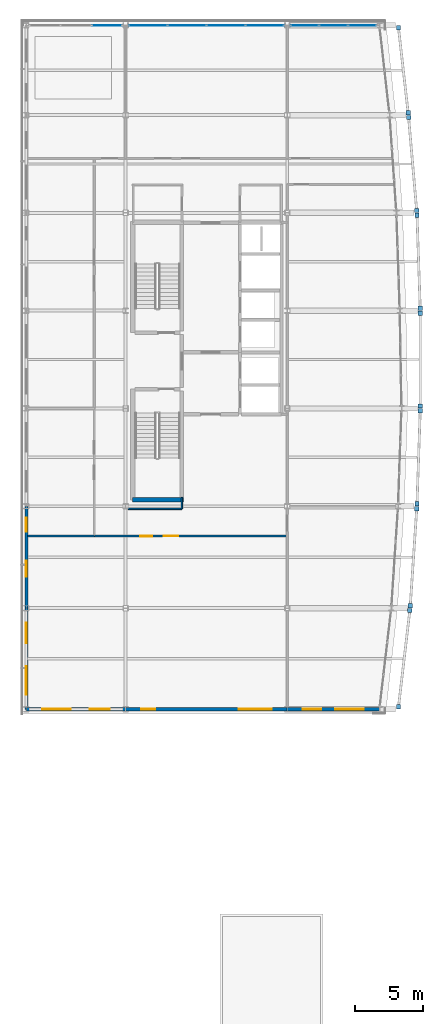
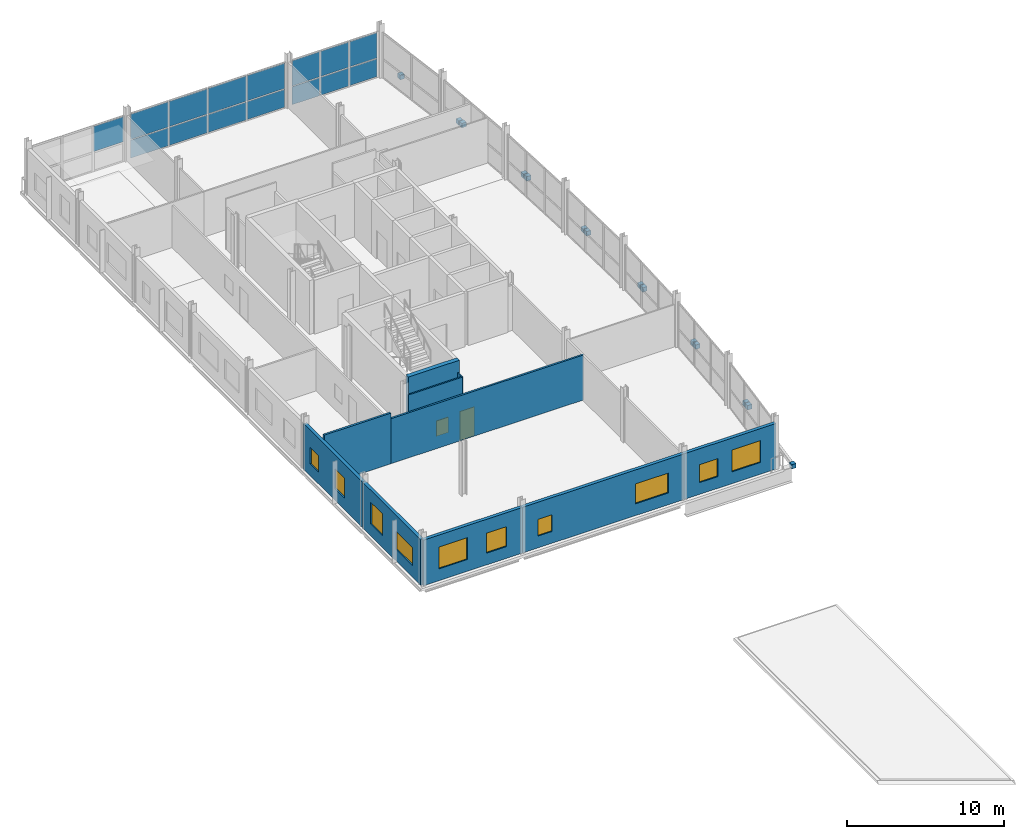
# One storey, part 15 of 23: 29 plates, 11 windows, 10 walls, 1 door, 12 openings, 3 elements without a shape of their own.
"""IFC4 building model written with IfcOpenShell, lengths in metres."""

from ifc_helpers import new_model, si_unit, direction, frame, frame_2d, origin, origin_2d, place, context, subcontext, project, spatial, rectangle, extrude, material, layer, layer_set, type_object, element, fill, aggregate, save


model = new_model("IFC4")

# Units and contexts
model_context = context("Model", 3, precision=1e-05, world=origin(), true_north=direction((0.0, 1.0)))
body_context = subcontext(model_context, "Body", "Model", "MODEL_VIEW")
ifc_project = project(units=[si_unit("LENGTHUNIT", "METRE"), si_unit("AREAUNIT", "SQUARE_METRE"), si_unit("VOLUMEUNIT", "CUBIC_METRE"), si_unit("PLANEANGLEUNIT", "RADIAN"), si_unit("MASSUNIT", "GRAM", prefix="KILO")], contexts=[model_context])

# Site, building, storey
site_placement = place(None, origin())
site = spatial("IfcSite", under=ifc_project, at=site_placement, CompositionType="ELEMENT")
building_placement = place(site_placement, origin())
building = spatial("IfcBuilding", under=site, at=building_placement, Name="Quillay Park Conservatory", CompositionType="ELEMENT")
storey_placement = place(building_placement, frame((0.0, 0.0, 22.5)))
storey = spatial("IfcBuildingStorey", under=building, at=storey_placement, Name="L05", CompositionType="ELEMENT", Elevation=22.5)

# Curtain wall, plate
ifc_material_1 = material(Name="Thermally Broken Anodised Aluminium 6063-T6", Category="aluminium")
ifc_layer_1 = layer(ifc_material_1, 0.179931640625)
ifc_layer_set_1 = layer_set([ifc_layer_1], Name="UNITISED CURTAIN WALL TOWER (Thermally Broken Anodised Aluminium 6063-T6)")
curtain_wall_type = type_object("IfcCurtainWallType", Name="UNITISED CURTAIN WALL TOWER", PredefinedType="USERDEFINED", material=ifc_layer_set_1)
curtain_wall_1_placement = place(storey_placement, origin())
curtain_wall_1 = element("IfcCurtainWall", 1, at=curtain_wall_1_placement, inside=storey, type_object=curtain_wall_type, Name="L05 Unitised Curtain Wall 055", ObjectType="UNITISED CURTAIN WALL", PredefinedType="USERDEFINED")
ifc_material_2 = material(Name="Low-E Double Glazing (Laminated Tempered)", Category="glass")
ifc_layer_2 = layer(ifc_material_2, 0.028076171875)
ifc_layer_set_2 = layer_set([ifc_layer_2], Name="CURTAIN WALL GLAZED PANEL 28 (Low-E Double Glazing (Laminated Tempered))")
plate_type_1 = type_object("IfcPlateType", Name="CURTAIN WALL GLAZED PANEL 28", PredefinedType="CURTAIN_PANEL", material=ifc_layer_set_2)
plate_1_placement = place(storey_placement, frame((6.482421875, 113.39990234375, 1.5341796875), z_axis=(0.0, 0.0, 1.0), x_axis=(1.0, 0.0, 0.0)))
plate_1 = element("IfcPlate", 2, at=plate_1_placement, type_object=plate_type_1, Name="CW-T1 panel 3.2", PredefinedType="CURTAIN_PANEL", context=body_context, shape_type="SweptSolid", body=[
    extrude(rectangle(XDim=2.195068359375, YDim=0.028076171875, at=origin_2d()), origin(), (0.0, 0.0, 1.0), 1.965087890625),
])
aggregate(curtain_wall_1, [plate_1])

# Curtain wall, plates
curtain_wall_2_placement = place(storey_placement, origin())
curtain_wall_2 = element("IfcCurtainWall", 3, at=curtain_wall_2_placement, inside=storey, type_object=curtain_wall_type, Name="L05 Unitised Curtain Wall 056", ObjectType="UNITISED CURTAIN WALL", PredefinedType="USERDEFINED")
plate_2_placement = place(storey_placement, frame((9.5048828125, 113.39990234375, 0.070068359375), z_axis=(0.0, 0.0, 1.0), x_axis=(1.0, 0.0, 0.0)))
plate_2 = element("IfcPlate", 4, at=plate_2_placement, type_object=plate_type_1, Name="CW-T1 panel 1.1", PredefinedType="CURTAIN_PANEL", context=body_context, shape_type="SweptSolid", body=[
    extrude(rectangle(XDim=2.77001953125, YDim=0.028076171875, at=origin_2d()), origin(), (0.0, 0.0, 1.0), 1.39404296875),
])
plate_3_placement = place(storey_placement, frame((9.5048828125, 113.39990234375, 1.5341796875), z_axis=(0.0, 0.0, 1.0), x_axis=(1.0, 0.0, 0.0)))
plate_3 = element("IfcPlate", 5, at=plate_3_placement, type_object=plate_type_1, Name="CW-T1 panel 1.2", PredefinedType="CURTAIN_PANEL", context=body_context, shape_type="SweptSolid", body=[
    extrude(rectangle(XDim=2.77001953125, YDim=0.028076171875, at=origin_2d()), origin(), (0.0, 0.0, 1.0), 1.965087890625),
])
plate_4_placement = place(storey_placement, frame((12.362548828125, 113.39990234375, 0.070068359375), z_axis=(0.0, 0.0, 1.0), x_axis=(1.0, 0.0, 0.0)))
plate_4 = element("IfcPlate", 6, at=plate_4_placement, type_object=plate_type_1, Name="CW-T1 panel 2.1", PredefinedType="CURTAIN_PANEL", context=body_context, shape_type="SweptSolid", body=[
    extrude(rectangle(XDim=2.804931640625, YDim=0.028076171875, at=origin_2d()), origin(), (0.0, 0.0, 1.0), 1.39404296875),
])
plate_5_placement = place(storey_placement, frame((12.362548828125, 113.39990234375, 1.5341796875), z_axis=(0.0, 0.0, 1.0), x_axis=(1.0, 0.0, 0.0)))
plate_5 = element("IfcPlate", 7, at=plate_5_placement, type_object=plate_type_1, Name="CW-T1 panel 2.2", PredefinedType="CURTAIN_PANEL", context=body_context, shape_type="SweptSolid", body=[
    extrude(rectangle(XDim=2.804931640625, YDim=0.028076171875, at=origin_2d()), origin(), (0.0, 0.0, 1.0), 1.965087890625),
])
plate_6_placement = place(storey_placement, frame((15.237548828125, 113.39990234375, 0.070068359375), z_axis=(0.0, 0.0, 1.0), x_axis=(1.0, 0.0, 0.0)))
plate_6 = element("IfcPlate", 8, at=plate_6_placement, type_object=plate_type_1, Name="CW-T1 panel 3.1", PredefinedType="CURTAIN_PANEL", context=body_context, shape_type="SweptSolid", body=[
    extrude(rectangle(XDim=2.804931640625, YDim=0.028076171875, at=origin_2d()), origin(), (0.0, 0.0, 1.0), 1.39404296875),
])
plate_7_placement = place(storey_placement, frame((15.237548828125, 113.39990234375, 1.5341796875), z_axis=(0.0, 0.0, 1.0), x_axis=(1.0, 0.0, 0.0)))
plate_7 = element("IfcPlate", 9, at=plate_7_placement, type_object=plate_type_1, Name="CW-T1 panel 3.2", PredefinedType="CURTAIN_PANEL", context=body_context, shape_type="SweptSolid", body=[
    extrude(rectangle(XDim=2.804931640625, YDim=0.028076171875, at=origin_2d()), origin(), (0.0, 0.0, 1.0), 1.965087890625),
])
plate_8_placement = place(storey_placement, frame((18.094970703125, 113.39990234375, 0.070068359375), z_axis=(0.0, 0.0, 1.0), x_axis=(1.0, 0.0, 0.0)))
plate_8 = element("IfcPlate", 10, at=plate_8_placement, type_object=plate_type_1, Name="CW-T1 panel 4.1", PredefinedType="CURTAIN_PANEL", context=body_context, shape_type="SweptSolid", body=[
    extrude(rectangle(XDim=2.77001953125, YDim=0.028076171875, at=origin_2d()), origin(), (0.0, 0.0, 1.0), 1.39404296875),
])
plate_9_placement = place(storey_placement, frame((18.094970703125, 113.39990234375, 1.5341796875), z_axis=(0.0, 0.0, 1.0), x_axis=(1.0, 0.0, 0.0)))
plate_9 = element("IfcPlate", 11, at=plate_9_placement, type_object=plate_type_1, Name="CW-T1 panel 4.2", PredefinedType="CURTAIN_PANEL", context=body_context, shape_type="SweptSolid", body=[
    extrude(rectangle(XDim=2.77001953125, YDim=0.028076171875, at=origin_2d()), origin(), (0.0, 0.0, 1.0), 1.965087890625),
])
aggregate(curtain_wall_2, [plate_2, plate_3, plate_4, plate_5, plate_6, plate_7, plate_8, plate_9])

curtain_wall_3_placement = place(storey_placement, origin())
curtain_wall_3 = element("IfcCurtainWall", 12, at=curtain_wall_3_placement, inside=storey, type_object=curtain_wall_type, Name="L05 Unitised Curtain Wall 057", ObjectType="UNITISED CURTAIN WALL", PredefinedType="USERDEFINED")
plate_10_placement = place(storey_placement, frame((21.0341796875, 113.39990234375, 0.070068359375), z_axis=(0.0, 0.0, 1.0), x_axis=(1.0, 0.0, 0.0)))
plate_10 = element("IfcPlate", 13, at=plate_10_placement, type_object=plate_type_1, Name="CW-T1 panel 1.1", PredefinedType="CURTAIN_PANEL", context=body_context, shape_type="SweptSolid", body=[
    extrude(rectangle(XDim=2.0283203125, YDim=0.028076171875, at=origin_2d()), origin(), (0.0, 0.0, 1.0), 1.39404296875),
])
plate_11_placement = place(storey_placement, frame((21.0341796875, 113.39990234375, 1.5341796875), z_axis=(0.0, 0.0, 1.0), x_axis=(1.0, 0.0, 0.0)))
plate_11 = element("IfcPlate", 14, at=plate_11_placement, type_object=plate_type_1, Name="CW-T1 panel 1.2", PredefinedType="CURTAIN_PANEL", context=body_context, shape_type="SweptSolid", body=[
    extrude(rectangle(XDim=2.0283203125, YDim=0.028076171875, at=origin_2d()), origin(), (0.0, 0.0, 1.0), 1.965087890625),
])
plate_12_placement = place(storey_placement, frame((23.14990234375, 113.39990234375, 0.070068359375), z_axis=(0.0, 0.0, 1.0), x_axis=(1.0, 0.0, 0.0)))
plate_12 = element("IfcPlate", 15, at=plate_12_placement, type_object=plate_type_1, Name="CW-T1 panel 2.1", PredefinedType="CURTAIN_PANEL", context=body_context, shape_type="SweptSolid", body=[
    extrude(rectangle(XDim=2.063232421875, YDim=0.028076171875, at=origin_2d()), origin(), (0.0, 0.0, 1.0), 1.39404296875),
])
plate_13_placement = place(storey_placement, frame((23.14990234375, 113.39990234375, 1.5341796875), z_axis=(0.0, 0.0, 1.0), x_axis=(1.0, 0.0, 0.0)))
plate_13 = element("IfcPlate", 16, at=plate_13_placement, type_object=plate_type_1, Name="CW-T1 panel 2.2", PredefinedType="CURTAIN_PANEL", context=body_context, shape_type="SweptSolid", body=[
    extrude(rectangle(XDim=2.063232421875, YDim=0.028076171875, at=origin_2d()), origin(), (0.0, 0.0, 1.0), 1.965087890625),
])
plate_14_placement = place(storey_placement, frame((25.265869140625, 113.39990234375, 0.070068359375), z_axis=(0.0, 0.0, 1.0), x_axis=(1.0, 0.0, 0.0)))
plate_14 = element("IfcPlate", 17, at=plate_14_placement, type_object=plate_type_1, Name="CW-T1 panel 3.1", PredefinedType="CURTAIN_PANEL", context=body_context, shape_type="SweptSolid", body=[
    extrude(rectangle(XDim=2.0283203125, YDim=0.028076171875, at=origin_2d()), origin(), (0.0, 0.0, 1.0), 1.39404296875),
])
plate_15_placement = place(storey_placement, frame((25.265869140625, 113.39990234375, 1.5341796875), z_axis=(0.0, 0.0, 1.0), x_axis=(1.0, 0.0, 0.0)))
plate_15 = element("IfcPlate", 18, at=plate_15_placement, type_object=plate_type_1, Name="CW-T1 panel 3.2", PredefinedType="CURTAIN_PANEL", context=body_context, shape_type="SweptSolid", body=[
    extrude(rectangle(XDim=2.0283203125, YDim=0.028076171875, at=origin_2d()), origin(), (0.0, 0.0, 1.0), 1.965087890625),
])
aggregate(curtain_wall_3, [plate_10, plate_11, plate_12, plate_13, plate_14, plate_15])

# Plates
ifc_material_3 = material(Name="Steel S355J2H", Category="steel")
ifc_layer_3 = layer(ifc_material_3, 0.02392578125)
ifc_layer_set_3 = layer_set([ifc_layer_3], Name="HOLLOW END CAP PLATE 320 X220 (Steel S355J2H)")
plate_type_2 = type_object("IfcPlateType", Name="HOLLOW END CAP PLATE 320 X220", PredefinedType="USERDEFINED", material=ifc_layer_set_3)
for number, where, z_axis, x_axis, name in (
    (19, (27.94580078125, 63.227783203125, -0.52197265625), (0.0, 0.0, 1.0), (1.0, 0.0, 0.0), "Hollow steel end cap ECP-0085"),
    (20, (28.779052734375, 70.322265625, -0.52197265625), (0.0, 0.0, 1.0), (1.0, 0.0, 0.0), "Hollow steel end cap ECP-0086"),
    (21, (28.81201171875, 70.6787109375, -0.52197265625), (0.0, 0.0, 1.0), (1.0, 0.0, 0.0), "Hollow steel end cap ECP-0087"),
    (22, (29.2880859375, 77.8212890625, -0.52197265625), (0.0, 0.0, 1.0), (1.0, 0.0, 0.0), "Hollow steel end cap ECP-0088"),
    (23, (29.30615234375, 78.178955078125, -0.52197265625), (0.0, 0.0, 1.0), (1.0, 0.0, 0.0), "Hollow steel end cap ECP-0089"),
    (24, (29.543701171875, 85.02099609375, -0.52197265625), (0.0, 0.0, 1.0), (1.0, 0.0, 0.0), "Hollow steel end cap ECP-0090"),
    (25, (29.550048828125, 85.37890625, -0.52197265625), (0.0, 0.0, 1.0), (1.0, 0.0, 0.0), "Hollow steel end cap ECP-0091"),
    (26, (29.550048828125, 92.220947265625, -0.52197265625), (0.0, 0.0, 1.0), (1.0, 0.0, 0.0), "Hollow steel end cap ECP-0092"),
    (27, (29.543701171875, 92.578857421875, -0.52197265625), (0.0, 0.0, 1.0), (1.0, 0.0, 0.0), "Hollow steel end cap ECP-0093"),
    (28, (29.30615234375, 99.421142578125, -0.52197265625), (0.0, 0.0, 1.0), (1.0, 0.0, 0.0), "Hollow steel end cap ECP-0094"),
    (29, (29.284423828125, 99.7783203125, -0.52197265625), (0.0, 0.0, 1.0), (1.0, 0.0, 0.0), "Hollow steel end cap ECP-0095"),
    (30, (28.6904296875, 106.62158203125, -0.52197265625), (0.0, 0.0, 1.0), (1.0, 0.0, 0.0), "Hollow steel end cap ECP-0096"),
    (31, (28.65478515625, 106.977783203125, -0.52197265625), (0.0, 0.0, 1.0), (1.0, 0.0, 0.0), "Hollow steel end cap ECP-0097"),
    (32, (27.9453125, 113.22216796875, -0.52197265625), (0.0, 0.0, 1.0), (1.0, 0.0, 0.0), "Hollow steel end cap ECP-0098"),
):
    element("IfcPlate", number, at=place(storey_placement, frame(where, z_axis=z_axis, x_axis=x_axis)), inside=storey, type_object=plate_type_2, Name=name, ObjectType="FLANGE PLATE", PredefinedType="USERDEFINED", context=body_context, shape_type="SweptSolid", body=[
        extrude(rectangle(XDim=0.320068359375, YDim=0.320068359375, at=origin_2d()), origin(), (0.0, 0.0, 1.0), 0.343994140625),
    ])

# Walls
ifc_material_4 = material(Name="Steel-Stud Acoustic Gypsum Board Partition", Category="steel")
ifc_layer_4 = layer(ifc_material_4, 0.10498046875)
ifc_layer_set_4 = layer_set([ifc_layer_4], Name="ACOUSTIC GYPSUM PARTITION 105 (Steel-Stud Acoustic Gypsum Board Partition)")
wall_type_1 = type_object("IfcWallType", Name="ACOUSTIC GYPSUM PARTITION 105", PredefinedType="PARTITIONING", material=ifc_layer_set_4)
wall_1_placement = place(storey_placement, frame((12.0, 77.800048828125, 0.0), z_axis=(0.0, 0.0, 1.0), x_axis=(0.0, 1.0, 0.0)))
element("IfcWall", 33, at=wall_1_placement, inside=storey, type_object=wall_type_1, Name="L05 Core South Vestibule West Wall", PredefinedType="PARTITIONING", context=body_context, shape_type="SweptSolid", body=[
    extrude(rectangle(XDim=0.849853515625, YDim=0.10498046875, at=frame_2d((0.4248046875, 0.0))), origin(), (0.0, 0.0, 1.0), 3.277099609375),
])
ifc_material_5 = material(Name="Steel-Stud Acoustic Gypsum Board Partition", Category="steel")
ifc_layer_5 = layer(ifc_material_5, 0.110107421875)
ifc_layer_set_5 = layer_set([ifc_layer_5], Name="ACOUSTIC GYPSUM PARTITION 110 (Steel-Stud Acoustic Gypsum Board Partition)")
wall_type_2 = type_object("IfcWallType", Name="ACOUSTIC GYPSUM PARTITION 110", PredefinedType="PARTITIONING", material=ifc_layer_set_5)
wall_2_placement = place(storey_placement, frame((8.031982421875, 77.800048828125, 0.0), z_axis=(0.0, 0.0, 1.0), x_axis=(1.0, 0.0, 0.0)))
element("IfcWall", 34, at=wall_2_placement, inside=storey, type_object=wall_type_2, Name="L05 Core South-West Return", PredefinedType="PARTITIONING", context=body_context, shape_type="SweptSolid", body=[
    extrude(rectangle(XDim=3.968017578125, YDim=0.110107421875, at=frame_2d((1.98388671875, 0.0))), origin(), (0.0, 0.0, 1.0), 3.277099609375),
])

# Wall, openings, window, door
ifc_material_6 = material(Name="Steel-Stud Acoustic Gypsum Board Partition", Category="steel")
ifc_layer_6 = layer(ifc_material_6, 0.139892578125)
ifc_layer_set_6 = layer_set([ifc_layer_6], Name="ACOUSTIC GYPSUM PARTITION 140 (Steel-Stud Acoustic Gypsum Board Partition)")
wall_type_3 = type_object("IfcWallType", Name="ACOUSTIC GYPSUM PARTITION 140", PredefinedType="PARTITIONING", material=ifc_layer_set_6)
wall_3_placement = place(storey_placement, frame((19.75, 75.800048828125, 0.0), z_axis=(0.0, 0.0, 1.0), x_axis=(-1.0, 0.0, 0.0)))
wall_3 = element("IfcWall", 35, at=wall_3_placement, inside=storey, type_object=wall_type_3, Name="L05 Molecular Phylogenetics Wet Research Laboratory North Door Wall", PredefinedType="PARTITIONING", context=body_context, shape_type="SweptSolid", body=[
    extrude(rectangle(XDim=14.199951171875, YDim=0.139892578125, at=frame_2d((7.10009765625, 0.0))), origin(), (0.0, 0.0, 1.0), 3.507080078125),
])
opening_1_placement = place(wall_3_placement, frame((8.02001953125, 0.0, 0.0)))
opening_1 = element("IfcOpeningElement", 36, at=opening_1_placement, cuts=wall_3, Name="Opening D-RM20", PredefinedType="OPENING", context=body_context, shape_type="SweptSolid", body=[
    extrude(rectangle(XDim=1.06005859375, YDim=2.25, at=frame_2d((0.530029296875, 1.125))), frame((0.0, 0.06982421875, 0.0), z_axis=(0.0, -1.0, 0.0), x_axis=(1.0, 0.0, 0.0)), (0.0, 0.0, 1.0), 0.139892578125),
])
opening_2_placement = place(wall_3_placement, frame((9.929931640625, 0.0, 0.919921875)))
opening_2 = element("IfcOpeningElement", 37, at=opening_2_placement, cuts=wall_3, Name="Opening W-IN05", PredefinedType="OPENING", context=body_context, shape_type="SweptSolid", body=[
    extrude(rectangle(XDim=0.89990234375, YDim=1.199951171875, at=frame_2d((0.449951171875, 0.60009765625))), frame((0.0, 0.06982421875, 0.0), z_axis=(0.0, -1.0, 0.0), x_axis=(1.0, 0.0, 0.0)), (0.0, 0.0, 1.0), 0.139892578125),
])
ifc_material_7 = material(Name="Low-E Double Glazing (Laminated Tempered)", Category="glass")
window_type_1 = type_object("IfcWindowType", Name="OPERABLE VENT WINDOW 900 X1200", PartitioningType="SINGLE_PANEL", PredefinedType="WINDOW", material=ifc_material_7)
window_1_placement = place(opening_2_placement, origin())
window_1 = element("IfcWindow", 38, at=window_1_placement, inside=storey, type_object=window_type_1, Name="L05 Laboratory Vision Panel 029", OverallHeight=1.199951171875, OverallWidth=0.89990234375, PartitioningType="SINGLE_PANEL", PredefinedType="WINDOW", context=body_context, shape_type="SweptSolid", body=[
    extrude(rectangle(XDim=0.89990234375, YDim=1.199951171875, at=frame_2d((0.449951171875, 0.60009765625))), frame((0.0, 0.030029296875, 0.0), z_axis=(0.0, -1.0, 0.0), x_axis=(1.0, 0.0, 0.0)), (0.0, 0.0, 1.0), 0.06005859375),
])
fill(opening_2, window_1)
ifc_material_8 = material(Name="Thermally Broken Anodised Aluminium 6063-T6", Category="aluminium")
door_type = type_object("IfcDoorType", Name="SINGLE SWING DOOR 1060 X2250", OperationType="NOTDEFINED", PredefinedType="DOOR", material=ifc_material_8)
door_placement = place(opening_1_placement, origin())
door = element("IfcDoor", 39, at=door_placement, inside=storey, type_object=door_type, Name="L05 Door to Molecular Phylogenetics Wet Research Laboratory", OperationType="SINGLE_SWING_RIGHT", OverallHeight=2.25, OverallWidth=1.06005859375, PredefinedType="DOOR", context=body_context, shape_type="SweptSolid", body=[
    extrude(rectangle(XDim=1.06005859375, YDim=2.25, at=frame_2d((0.530029296875, 1.125))), frame((0.0, 0.02490234375, 0.0), z_axis=(0.0, -1.0, 0.0), x_axis=(1.0, 0.0, 0.0)), (0.0, 0.0, 1.0), 0.050048828125),
])
fill(opening_1, door)

# Walls
ifc_material_9 = material(Name="Steel-Stud Acoustic Gypsum Board Partition", Category="steel")
ifc_layer_7 = layer(ifc_material_9, 0.14990234375)
ifc_layer_set_7 = layer_set([ifc_layer_7], Name="ACOUSTIC GYPSUM PARTITION 150 (Steel-Stud Acoustic Gypsum Board Partition)")
wall_type_4 = type_object("IfcWallType", Name="ACOUSTIC GYPSUM PARTITION 150", PredefinedType="PARTITIONING", material=ifc_layer_set_7)
wall_4_placement = place(storey_placement, frame((0.64990234375, 75.800048828125, 0.0), z_axis=(0.0, 0.0, 1.0), x_axis=(1.0, 0.0, 0.0)))
element("IfcWall", 40, at=wall_4_placement, inside=storey, type_object=wall_type_4, Name="L05 Molecular Phylogenetics Wet Research Laboratory North-West Wall", PredefinedType="PARTITIONING", context=body_context, shape_type="SweptSolid", body=[
    extrude(rectangle(XDim=4.900146484375, YDim=0.14990234375, at=frame_2d((2.4501953125, 0.0))), origin(), (0.0, 0.0, 1.0), 3.949951171875),
])
ifc_material_10 = material(Name="Concrete C40/50 (NCh170 Concrete C40/50)", Category="concrete")
ifc_layer_8 = layer(ifc_material_10, 0.320068359375)
ifc_layer_set_8 = layer_set([ifc_layer_8], Name="CORE SHEAR WALL 320 (Concrete C40/50 (NCh170 Concrete C40/50))")
wall_type_5 = type_object("IfcWallType", Name="CORE SHEAR WALL 320", PredefinedType="SHEAR", material=ifc_layer_set_8)
wall_5_placement = place(storey_placement, frame((8.35009765625, 78.489990234375, 0.0), z_axis=(0.0, 0.0, 1.0), x_axis=(1.0, 0.0, 0.0)))
element("IfcWall", 41, at=wall_5_placement, inside=storey, type_object=wall_type_5, Name="L05 Core Shear Wall WL-TCS-L05", PredefinedType="SHEAR", context=body_context, shape_type="SweptSolid", body=[
    extrude(rectangle(XDim=3.77001953125, YDim=0.320068359375, at=frame_2d((1.885009765625, 0.0))), origin(), (0.0, 0.0, 1.0), 4.199951171875),
])

# Wall, openings, windows
ifc_material_11 = material(Name="Glass-Fibre Reinforced Concrete (GRC) Cladding", Category="concrete")
ifc_layer_9 = layer(ifc_material_11, 0.239990234375)
ifc_layer_set_9 = layer_set([ifc_layer_9], Name="EXTERIOR SOLID WALL 240 (Glass-Fibre Reinforced Concrete (GRC) Cladding)")
wall_type_6 = type_object("IfcWallType", Name="EXTERIOR SOLID WALL 240", PredefinedType="SOLIDWALL", material=ifc_layer_set_9)
wall_6_placement = place(storey_placement, frame((0.550048828125, 63.050048828125, 0.0), z_axis=(0.0, 0.0, 1.0), x_axis=(0.0, 1.0, 0.0)))
wall_6 = element("IfcWall", 42, at=wall_6_placement, inside=storey, type_object=wall_type_6, Name="L05 External Wall WL-EXT-V4W-L05-0", PredefinedType="SOLIDWALL", context=body_context, shape_type="SweptSolid", body=[
    extrude(rectangle(XDim=7.449951171875, YDim=0.239990234375, at=frame_2d((3.72509765625, 0.0))), origin(), (0.0, 0.0, 1.0), 3.556884765625),
])
opening_3_placement = place(wall_6_placement, frame((1.070068359375, 0.0, 0.919921875)))
opening_3 = element("IfcOpeningElement", 43, at=opening_3_placement, cuts=wall_6, Name="Opening W-06", PredefinedType="OPENING", context=body_context, shape_type="SweptSolid", body=[
    extrude(rectangle(XDim=2.10009765625, YDim=1.39990234375, at=frame_2d((1.050048828125, 0.699951171875))), frame((0.0, 0.1201171875, 0.0), z_axis=(0.0, -1.0, 0.0), x_axis=(1.0, 0.0, 0.0)), (0.0, 0.0, 1.0), 0.239990234375),
])
opening_4_placement = place(wall_6_placement, frame((4.8798828125, 0.0, 0.919921875)))
opening_4 = element("IfcOpeningElement", 44, at=opening_4_placement, cuts=wall_6, Name="Opening W-13", PredefinedType="OPENING", context=body_context, shape_type="SweptSolid", body=[
    extrude(rectangle(XDim=1.5, YDim=1.699951171875, at=frame_2d((0.75, 0.85009765625))), frame((0.0, 0.1201171875, 0.0), z_axis=(0.0, -1.0, 0.0), x_axis=(1.0, 0.0, 0.0)), (0.0, 0.0, 1.0), 0.239990234375),
])
ifc_material_12 = material(Name="Low-E Double Glazing (Laminated Tempered)", Category="glass")
window_type_2 = type_object("IfcWindowType", Name="FIXED CASEMENT WINDOW 1500 X1700", PartitioningType="SINGLE_PANEL", PredefinedType="WINDOW", material=ifc_material_12)
window_2_placement = place(opening_4_placement, origin())
window_2 = element("IfcWindow", 45, at=window_2_placement, inside=storey, type_object=window_type_2, Name="L05 Exterior Window 0165", OverallHeight=1.699951171875, OverallWidth=1.5, PartitioningType="SINGLE_PANEL", PredefinedType="WINDOW", context=body_context, shape_type="SweptSolid", body=[
    extrude(rectangle(XDim=1.5, YDim=1.699951171875, at=frame_2d((0.75, 0.85009765625))), frame((0.0, 0.030029296875, 0.0), z_axis=(0.0, -1.0, 0.0), x_axis=(1.0, 0.0, 0.0)), (0.0, 0.0, 1.0), 0.06005859375),
])
fill(opening_4, window_2)
ifc_material_13 = material(Name="Low-E Double Glazing (Laminated Tempered)", Category="glass")
window_type_3 = type_object("IfcWindowType", Name="FIXED CASEMENT WINDOW 2100 X1400", PartitioningType="DOUBLE_PANEL_VERTICAL", PredefinedType="WINDOW", material=ifc_material_13)
window_3_placement = place(opening_3_placement, origin())
window_3 = element("IfcWindow", 46, at=window_3_placement, inside=storey, type_object=window_type_3, Name="L05 Exterior Window 0164", OverallHeight=1.39990234375, OverallWidth=2.10009765625, PartitioningType="DOUBLE_PANEL_VERTICAL", PredefinedType="WINDOW", context=body_context, shape_type="SweptSolid", body=[
    extrude(rectangle(XDim=2.10009765625, YDim=1.39990234375, at=frame_2d((1.050048828125, 0.699951171875))), frame((0.0, 0.030029296875, 0.0), z_axis=(0.0, -1.0, 0.0), x_axis=(1.0, 0.0, 0.0)), (0.0, 0.0, 1.0), 0.06005859375),
])
fill(opening_3, window_3)

wall_7_placement = place(storey_placement, frame((0.550048828125, 70.5, 0.0), z_axis=(0.0, 0.0, 1.0), x_axis=(0.0, 1.0, 0.0)))
wall_7 = element("IfcWall", 47, at=wall_7_placement, inside=storey, type_object=wall_type_6, Name="L05 External Wall WL-EXT-V4W-L05-1", PredefinedType="SOLIDWALL", context=body_context, shape_type="SweptSolid", body=[
    extrude(rectangle(XDim=7.5, YDim=0.239990234375, at=frame_2d((3.75, 0.0))), origin(), (0.0, 0.0, 1.0), 3.556884765625),
])
opening_5_placement = place(wall_7_placement, frame((2.304931640625, 0.0, 0.919921875)))
opening_5 = element("IfcOpeningElement", 48, at=opening_5_placement, cuts=wall_7, Name="Opening W-07", PredefinedType="OPENING", context=body_context, shape_type="SweptSolid", body=[
    extrude(rectangle(XDim=1.199951171875, YDim=1.550048828125, at=frame_2d((0.60009765625, 0.77490234375))), frame((0.0, 0.1201171875, 0.0), z_axis=(0.0, -1.0, 0.0), x_axis=(1.0, 0.0, 0.0)), (0.0, 0.0, 1.0), 0.239990234375),
])
opening_6_placement = place(wall_7_placement, frame((5.6201171875, 0.0, 0.919921875)))
opening_6 = element("IfcOpeningElement", 49, at=opening_6_placement, cuts=wall_7, Name="Opening W-18", PredefinedType="OPENING", context=body_context, shape_type="SweptSolid", body=[
    extrude(rectangle(XDim=1.050048828125, YDim=1.300048828125, at=frame_2d((0.52490234375, 0.64990234375))), frame((0.0, 0.1201171875, 0.0), z_axis=(0.0, -1.0, 0.0), x_axis=(1.0, 0.0, 0.0)), (0.0, 0.0, 1.0), 0.239990234375),
])
ifc_material_14 = material(Name="Low-E Double Glazing (Laminated Tempered)", Category="glass")
window_type_4 = type_object("IfcWindowType", Name="FIXED CASEMENT WINDOW 1050 X1300", PartitioningType="SINGLE_PANEL", PredefinedType="WINDOW", material=ifc_material_14)
window_4_placement = place(opening_6_placement, origin())
window_4 = element("IfcWindow", 50, at=window_4_placement, inside=storey, type_object=window_type_4, Name="L05 Exterior Window 0167", OverallHeight=1.300048828125, OverallWidth=1.050048828125, PartitioningType="SINGLE_PANEL", PredefinedType="WINDOW", context=body_context, shape_type="SweptSolid", body=[
    extrude(rectangle(XDim=1.050048828125, YDim=1.300048828125, at=frame_2d((0.52490234375, 0.64990234375))), frame((0.0, 0.030029296875, 0.0), z_axis=(0.0, -1.0, 0.0), x_axis=(1.0, 0.0, 0.0)), (0.0, 0.0, 1.0), 0.06005859375),
])
fill(opening_6, window_4)
ifc_material_15 = material(Name="Low-E Double Glazing (Laminated Tempered)", Category="glass")
window_type_5 = type_object("IfcWindowType", Name="FIXED CASEMENT WINDOW 1200 X1550", PartitioningType="SINGLE_PANEL", PredefinedType="WINDOW", material=ifc_material_15)
window_5_placement = place(opening_5_placement, origin())
window_5 = element("IfcWindow", 51, at=window_5_placement, inside=storey, type_object=window_type_5, Name="L05 Exterior Window 0166", OverallHeight=1.550048828125, OverallWidth=1.199951171875, PartitioningType="SINGLE_PANEL", PredefinedType="WINDOW", context=body_context, shape_type="SweptSolid", body=[
    extrude(rectangle(XDim=1.199951171875, YDim=1.550048828125, at=frame_2d((0.60009765625, 0.77490234375))), frame((0.0, 0.030029296875, 0.0), z_axis=(0.0, -1.0, 0.0), x_axis=(1.0, 0.0, 0.0)), (0.0, 0.0, 1.0), 0.06005859375),
])
fill(opening_5, window_5)

wall_8_placement = place(storey_placement, frame((7.85009765625, 63.050048828125, 0.0), z_axis=(0.0, 0.0, 1.0), x_axis=(-1.0, 0.0, 0.0)))
wall_8 = element("IfcWall", 52, at=wall_8_placement, inside=storey, type_object=wall_type_6, Name="L05 External Wall WL-EXT-V4S1-L05", PredefinedType="SOLIDWALL", context=body_context, shape_type="SweptSolid", body=[
    extrude(rectangle(XDim=7.300048828125, YDim=0.239990234375, at=frame_2d((3.64990234375, 0.0))), origin(), (0.0, 0.0, 1.0), 3.556884765625),
])
opening_7_placement = place(wall_8_placement, frame((1.14990234375, 0.0, 0.919921875)))
opening_7 = element("IfcOpeningElement", 53, at=opening_7_placement, cuts=wall_8, Name="Opening W-08", PredefinedType="OPENING", context=body_context, shape_type="SweptSolid", body=[
    extrude(rectangle(XDim=1.5, YDim=1.550048828125, at=frame_2d((0.75, 0.77490234375))), frame((0.0, 0.1201171875, 0.0), z_axis=(0.0, -1.0, 0.0), x_axis=(1.0, 0.0, 0.0)), (0.0, 0.0, 1.0), 0.239990234375),
])
opening_8_placement = place(wall_8_placement, frame((4.050048828125, 0.0, 0.919921875)))
opening_8 = element("IfcOpeningElement", 54, at=opening_8_placement, cuts=wall_8, Name="Opening W-15", PredefinedType="OPENING", context=body_context, shape_type="SweptSolid", body=[
    extrude(rectangle(XDim=2.10009765625, YDim=1.699951171875, at=frame_2d((1.050048828125, 0.85009765625))), frame((0.0, 0.1201171875, 0.0), z_axis=(0.0, -1.0, 0.0), x_axis=(1.0, 0.0, 0.0)), (0.0, 0.0, 1.0), 0.239990234375),
])
ifc_material_16 = material(Name="Low-E Double Glazing (Laminated Tempered)", Category="glass")
window_type_6 = type_object("IfcWindowType", Name="FIXED CASEMENT WINDOW 1500 X1550", PartitioningType="SINGLE_PANEL", PredefinedType="WINDOW", material=ifc_material_16)
window_6_placement = place(opening_7_placement, origin())
window_6 = element("IfcWindow", 55, at=window_6_placement, inside=storey, type_object=window_type_6, Name="L05 Exterior Window 0178", OverallHeight=1.550048828125, OverallWidth=1.5, PartitioningType="SINGLE_PANEL", PredefinedType="WINDOW", context=body_context, shape_type="SweptSolid", body=[
    extrude(rectangle(XDim=1.5, YDim=1.550048828125, at=frame_2d((0.75, 0.77490234375))), frame((0.0, 0.030029296875, 0.0), z_axis=(0.0, -1.0, 0.0), x_axis=(1.0, 0.0, 0.0)), (0.0, 0.0, 1.0), 0.06005859375),
])
fill(opening_7, window_6)
ifc_material_17 = material(Name="Low-E Double Glazing (Laminated Tempered)", Category="glass")
window_type_7 = type_object("IfcWindowType", Name="FIXED CASEMENT WINDOW 2100 X1700", PartitioningType="DOUBLE_PANEL_VERTICAL", PredefinedType="WINDOW", material=ifc_material_17)
window_7_placement = place(opening_8_placement, origin())
window_7 = element("IfcWindow", 56, at=window_7_placement, inside=storey, type_object=window_type_7, Name="L05 Exterior Window 0179", OverallHeight=1.699951171875, OverallWidth=2.10009765625, PartitioningType="DOUBLE_PANEL_VERTICAL", PredefinedType="WINDOW", context=body_context, shape_type="SweptSolid", body=[
    extrude(rectangle(XDim=2.10009765625, YDim=1.699951171875, at=frame_2d((1.050048828125, 0.85009765625))), frame((0.0, 0.030029296875, 0.0), z_axis=(0.0, -1.0, 0.0), x_axis=(1.0, 0.0, 0.0)), (0.0, 0.0, 1.0), 0.06005859375),
])
fill(opening_8, window_7)

wall_9_placement = place(storey_placement, frame((19.75, 63.050048828125, 0.0), z_axis=(0.0, 0.0, 1.0), x_axis=(-1.0, 0.0, 0.0)))
wall_9 = element("IfcWall", 57, at=wall_9_placement, inside=storey, type_object=wall_type_6, Name="L05 External Wall WL-EXT-V4S2-L05", PredefinedType="SOLIDWALL", context=body_context, shape_type="SweptSolid", body=[
    extrude(rectangle(XDim=11.89990234375, YDim=0.239990234375, at=frame_2d((5.949951171875, 0.0))), origin(), (0.0, 0.0, 1.0), 3.556884765625),
])
opening_9_placement = place(wall_9_placement, frame((1.14990234375, 0.0, 0.919921875)))
opening_9 = element("IfcOpeningElement", 58, at=opening_9_placement, cuts=wall_9, Name="Opening W-11", PredefinedType="OPENING", context=body_context, shape_type="SweptSolid", body=[
    extrude(rectangle(XDim=2.39990234375, YDim=1.550048828125, at=frame_2d((1.199951171875, 0.77490234375))), frame((0.0, 0.1201171875, 0.0), z_axis=(0.0, -1.0, 0.0), x_axis=(1.0, 0.0, 0.0)), (0.0, 0.0, 1.0), 0.239990234375),
])
opening_10_placement = place(wall_9_placement, frame((9.699951171875, 0.0, 0.919921875)))
opening_10 = element("IfcOpeningElement", 59, at=opening_10_placement, cuts=wall_9, Name="Opening W-18", PredefinedType="OPENING", context=body_context, shape_type="SweptSolid", body=[
    extrude(rectangle(XDim=1.050048828125, YDim=1.300048828125, at=frame_2d((0.52490234375, 0.64990234375))), frame((0.0, 0.1201171875, 0.0), z_axis=(0.0, -1.0, 0.0), x_axis=(1.0, 0.0, 0.0)), (0.0, 0.0, 1.0), 0.239990234375),
])
window_8_placement = place(opening_10_placement, origin())
window_8 = element("IfcWindow", 60, at=window_8_placement, inside=storey, type_object=window_type_4, Name="L05 Exterior Window 0181", OverallHeight=1.300048828125, OverallWidth=1.050048828125, PartitioningType="SINGLE_PANEL", PredefinedType="WINDOW", context=body_context, shape_type="SweptSolid", body=[
    extrude(rectangle(XDim=1.050048828125, YDim=1.300048828125, at=frame_2d((0.52490234375, 0.64990234375))), frame((0.0, 0.030029296875, 0.0), z_axis=(0.0, -1.0, 0.0), x_axis=(1.0, 0.0, 0.0)), (0.0, 0.0, 1.0), 0.06005859375),
])
fill(opening_10, window_8)
ifc_material_18 = material(Name="Low-E Double Glazing (Laminated Tempered)", Category="glass")
window_type_8 = type_object("IfcWindowType", Name="FIXED CASEMENT WINDOW 2400 X1550", PartitioningType="DOUBLE_PANEL_VERTICAL", PredefinedType="WINDOW", material=ifc_material_18)
window_9_placement = place(opening_9_placement, origin())
window_9 = element("IfcWindow", 61, at=window_9_placement, inside=storey, type_object=window_type_8, Name="L05 Exterior Window 0180", OverallHeight=1.550048828125, OverallWidth=2.39990234375, PartitioningType="DOUBLE_PANEL_VERTICAL", PredefinedType="WINDOW", context=body_context, shape_type="SweptSolid", body=[
    extrude(rectangle(XDim=2.39990234375, YDim=1.550048828125, at=frame_2d((1.199951171875, 0.77490234375))), frame((0.0, 0.030029296875, 0.0), z_axis=(0.0, -1.0, 0.0), x_axis=(1.0, 0.0, 0.0)), (0.0, 0.0, 1.0), 0.06005859375),
])
fill(opening_9, window_9)

wall_10_placement = place(storey_placement, frame((26.550048828125, 63.050048828125, 0.0), z_axis=(0.0, 0.0, 1.0), x_axis=(-1.0, 0.0, 0.0)))
wall_10 = element("IfcWall", 62, at=wall_10_placement, inside=storey, type_object=wall_type_6, Name="L05 External Wall WL-EXT-V4S3-L05", PredefinedType="SOLIDWALL", context=body_context, shape_type="SweptSolid", body=[
    extrude(rectangle(XDim=6.800048828125, YDim=0.239990234375, at=frame_2d((3.39990234375, 0.0))), origin(), (0.0, 0.0, 1.0), 3.556884765625),
])
opening_11_placement = place(wall_10_placement, frame((1.14990234375, 0.0, 0.919921875)))
opening_11 = element("IfcOpeningElement", 63, at=opening_11_placement, cuts=wall_10, Name="Opening W-15", PredefinedType="OPENING", context=body_context, shape_type="SweptSolid", body=[
    extrude(rectangle(XDim=2.10009765625, YDim=1.699951171875, at=frame_2d((1.050048828125, 0.85009765625))), frame((0.0, 0.1201171875, 0.0), z_axis=(0.0, -1.0, 0.0), x_axis=(1.0, 0.0, 0.0)), (0.0, 0.0, 1.0), 0.239990234375),
])
opening_12_placement = place(wall_10_placement, frame((4.300048828125, 0.0, 0.919921875)))
opening_12 = element("IfcOpeningElement", 64, at=opening_12_placement, cuts=wall_10, Name="Opening W-02", PredefinedType="OPENING", context=body_context, shape_type="SweptSolid", body=[
    extrude(rectangle(XDim=1.35009765625, YDim=1.39990234375, at=frame_2d((0.675048828125, 0.699951171875))), frame((0.0, 0.1201171875, 0.0), z_axis=(0.0, -1.0, 0.0), x_axis=(1.0, 0.0, 0.0)), (0.0, 0.0, 1.0), 0.239990234375),
])
ifc_material_19 = material(Name="Low-E Double Glazing (Laminated Tempered)", Category="glass")
window_type_9 = type_object("IfcWindowType", Name="FIXED CASEMENT WINDOW 1350 X1400", PartitioningType="SINGLE_PANEL", PredefinedType="WINDOW", material=ifc_material_19)
window_10_placement = place(opening_12_placement, origin())
window_10 = element("IfcWindow", 65, at=window_10_placement, inside=storey, type_object=window_type_9, Name="L05 Exterior Window 0183", OverallHeight=1.39990234375, OverallWidth=1.35009765625, PartitioningType="SINGLE_PANEL", PredefinedType="WINDOW", context=body_context, shape_type="SweptSolid", body=[
    extrude(rectangle(XDim=1.35009765625, YDim=1.39990234375, at=frame_2d((0.675048828125, 0.699951171875))), frame((0.0, 0.030029296875, 0.0), z_axis=(0.0, -1.0, 0.0), x_axis=(1.0, 0.0, 0.0)), (0.0, 0.0, 1.0), 0.06005859375),
])
fill(opening_12, window_10)
window_11_placement = place(opening_11_placement, origin())
window_11 = element("IfcWindow", 66, at=window_11_placement, inside=storey, type_object=window_type_7, Name="L05 Exterior Window 0182", OverallHeight=1.699951171875, OverallWidth=2.10009765625, PartitioningType="DOUBLE_PANEL_VERTICAL", PredefinedType="WINDOW", context=body_context, shape_type="SweptSolid", body=[
    extrude(rectangle(XDim=2.10009765625, YDim=1.699951171875, at=frame_2d((1.050048828125, 0.85009765625))), frame((0.0, 0.030029296875, 0.0), z_axis=(0.0, -1.0, 0.0), x_axis=(1.0, 0.0, 0.0)), (0.0, 0.0, 1.0), 0.06005859375),
])
fill(opening_11, window_11)

save(model, "model.ifc")
